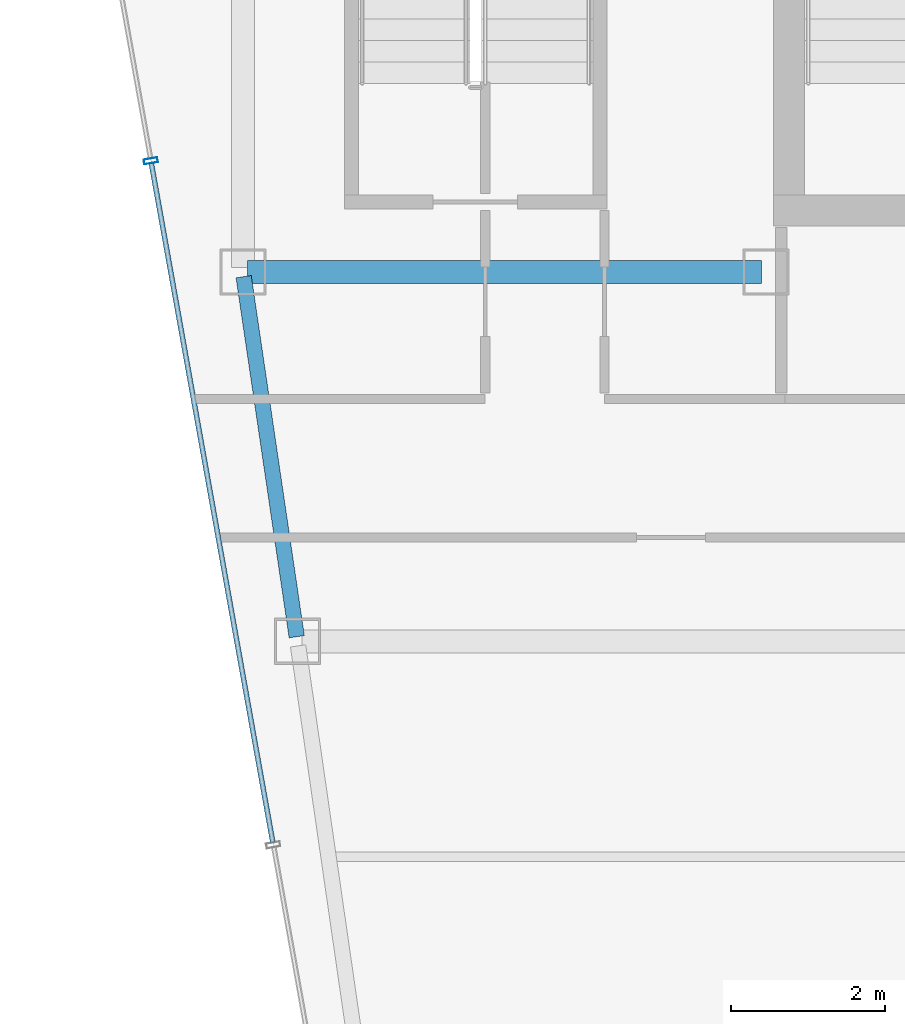
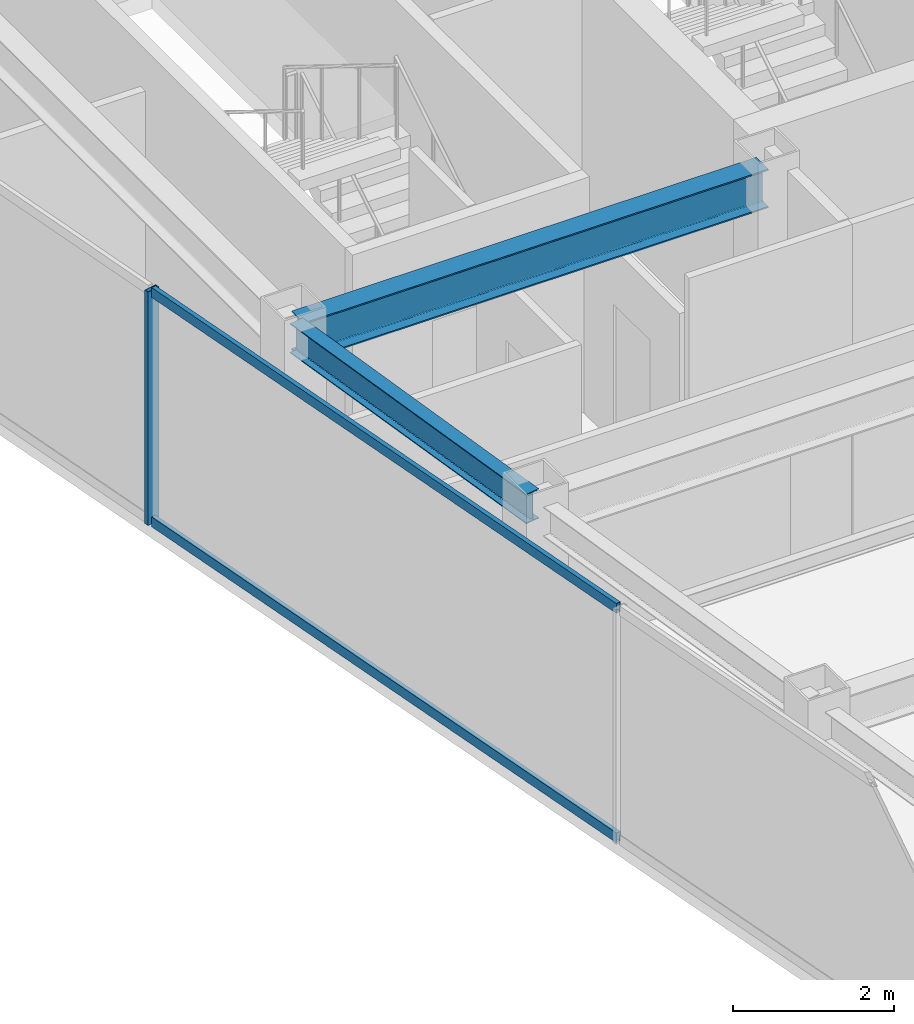
# One storey, part 9 of 32: 3 members, 2 beams, 1 element without a shape of its own.
"""IFC4 building model written with IfcOpenShell, lengths in metres."""

from ifc_helpers import new_model, si_unit, direction, frame, origin, origin_2d, place, context, subcontext, project, spatial, hollow_rectangle, i_section, extrude, material, material_profile, profile_set, type_object, element, aggregate, save


model = new_model("IFC4")

# Units and contexts
model_context = context("Model", 3, precision=1e-05, world=origin(), true_north=direction((0.0, 1.0)))
body_context = subcontext(model_context, "Body", "Model", "MODEL_VIEW")
ifc_project = project(units=[si_unit("LENGTHUNIT", "METRE"), si_unit("AREAUNIT", "SQUARE_METRE"), si_unit("VOLUMEUNIT", "CUBIC_METRE"), si_unit("PLANEANGLEUNIT", "RADIAN"), si_unit("MASSUNIT", "GRAM", prefix="KILO")], contexts=[model_context])

# Site, building, storey
site_placement = place(None, origin())
site = spatial("IfcSite", under=ifc_project, at=site_placement, CompositionType="ELEMENT")
building_placement = place(site_placement, origin())
building = spatial("IfcBuilding", under=site, at=building_placement, Name="Saevonmaru Cultural Tower", CompositionType="ELEMENT")
storey_placement = place(building_placement, frame((0.0, 0.0, 268.60009765625)))
storey = spatial("IfcBuildingStorey", under=building, at=storey_placement, Name="L63", CompositionType="ELEMENT", Elevation=268.60009765625)

# Beams
ifc_material_1 = material(Name="Steel SM355", Category="steel")
ifc_material_profile_1 = material_profile(ifc_material_1, i_section(OverallWidth=0.300048828125, OverallDepth=0.587890625, WebThickness=0.011962890625, FlangeThickness=0.02001953125, FilletRadius=0.02392578125, at=origin_2d()), Name="H-588x300x12x20")
ifc_profile_set_1 = profile_set([ifc_material_profile_1], Name="Steel SM355")
beam_type_1 = type_object("IfcBeamType", Name="BM-G-H588", PredefinedType="BEAM", material=ifc_profile_set_1)
beam_1_placement = place(storey_placement, frame((6.860107421875, 42.39990234375, 3.255859375), z_axis=(1.0, 0.0, 0.0), x_axis=(0.0, 1.0, 0.0)))
element("IfcBeam", 1, at=beam_1_placement, inside=storey, type_object=beam_type_1, Name="L63 Core South Girder 1", PredefinedType="BEAM", context=body_context, shape_type="SweptSolid", body=[
    extrude(i_section(OverallWidth=0.300048828125, OverallDepth=0.587890625, WebThickness=0.011962890625, FlangeThickness=0.02001953125, FilletRadius=0.02392578125, at=origin_2d()), origin(), (0.0, 0.0, 1.0), 6.679931640625),
])
ifc_material_profile_2 = material_profile(ifc_material_1, i_section(OverallWidth=0.199951171875, OverallDepth=0.449951171875, WebThickness=0.009033203125, FlangeThickness=0.013916015625, FilletRadius=0.01806640625, at=origin_2d()), Name="H-450x200x9x14")
ifc_profile_set_2 = profile_set([ifc_material_profile_2], Name="Steel SM355")
beam_type_2 = type_object("IfcBeamType", Name="BM-SP-H450", PredefinedType="SPANDREL", material=ifc_profile_set_2)
beam_2_placement = place(storey_placement, frame((7.499267578125, 37.659423828125, 3.324951171875), z_axis=(-0.145912860028, 0.989297446312, 0.0), x_axis=(-0.989297446312, -0.145912860028, 0.0)))
element("IfcBeam", 2, at=beam_2_placement, inside=storey, type_object=beam_type_2, Name="L63 West Splayed Spandrel 3", PredefinedType="SPANDREL", context=body_context, shape_type="SweptSolid", body=[
    extrude(i_section(OverallWidth=0.199951171875, OverallDepth=0.449951171875, WebThickness=0.009033203125, FlangeThickness=0.013916015625, FilletRadius=0.01806640625, at=origin_2d()), origin(), (0.0, 0.0, 1.0), 4.731689453125),
])

# Curtain wall, members
ifc_material_2 = material(Name="Satin Bronze Anodised Aluminium", Category="aluminium")
curtain_wall_type = type_object("IfcCurtainWallType", Name="CW-TYP-B", PredefinedType="NOTDEFINED", material=ifc_material_2)
curtain_wall_placement = place(storey_placement, origin())
curtain_wall = element("IfcCurtainWall", 3, at=curtain_wall_placement, inside=storey, type_object=curtain_wall_type, Name="L63 Unitised Curtain Wall E12", PredefinedType="NOTDEFINED")
ifc_material_profile_3 = material_profile(ifc_material_2, hollow_rectangle(XDim=0.06494140625, YDim=0.179931640625, WallThickness=0.00390625, at=origin_2d()), Name="ALU-MULL-180x65x4")
ifc_profile_set_3 = profile_set([ifc_material_profile_3], Name="Satin Bronze Anodised Aluminium")
member_type_1 = type_object("IfcMemberType", Name="ML-CW-180x65", PredefinedType="MULLION", material=ifc_profile_set_3)
member_1_placement = place(storey_placement, frame((5.60205078125, 43.846923828125, 0.0), z_axis=(0.0, 0.0, 1.0), x_axis=(0.176140740755, -0.984364993001, 0.0)))
member_1 = element("IfcMember", 4, at=member_1_placement, type_object=member_type_1, Name="CW-TW-L63-E12 mullion 2", PredefinedType="MULLION", context=body_context, shape_type="SweptSolid", body=[
    extrude(hollow_rectangle(XDim=0.06494140625, YDim=0.179931640625, WallThickness=0.00390625, at=origin_2d()), origin(), (0.0, 0.0, 1.0), 3.5498046875),
])
ifc_material_profile_4 = material_profile(ifc_material_2, hollow_rectangle(XDim=0.06494140625, YDim=0.14990234375, WallThickness=0.00390625, at=origin_2d()), Name="ALU-TRAN-150x65x4")
ifc_profile_set_4 = profile_set([ifc_material_profile_4], Name="Satin Bronze Anodised Aluminium")
member_type_2 = type_object("IfcMemberType", Name="TR-CW-150x65", PredefinedType="USERDEFINED", material=ifc_profile_set_4)
member_2_placement = place(storey_placement, frame((5.60791015625, 43.81494140625, 0.032470703125), z_axis=(0.176123157264, -0.984368139202, 0.0), x_axis=(0.984368139202, 0.176123157264, 0.0)))
member_2 = element("IfcMember", 5, at=member_2_placement, type_object=member_type_2, Name="CW-TW-L63-E12 transom 2.1", ObjectType="TRANSOM", PredefinedType="USERDEFINED", context=body_context, shape_type="SweptSolid", body=[
    extrude(hollow_rectangle(XDim=0.06494140625, YDim=0.14990234375, WallThickness=0.00390625, at=origin_2d()), origin(), (0.0, 0.0, 1.0), 8.969970703125),
])
member_3_placement = place(storey_placement, frame((5.60791015625, 43.81494140625, 3.517333984375), z_axis=(0.176123157264, -0.984368139202, 0.0), x_axis=(0.984368139202, 0.176123157264, 0.0)))
member_3 = element("IfcMember", 6, at=member_3_placement, type_object=member_type_2, Name="CW-TW-L63-E12 transom 2.2", ObjectType="TRANSOM", PredefinedType="USERDEFINED", context=body_context, shape_type="SweptSolid", body=[
    extrude(hollow_rectangle(XDim=0.06494140625, YDim=0.14990234375, WallThickness=0.00390625, at=origin_2d()), origin(), (0.0, 0.0, 1.0), 8.969970703125),
])
aggregate(curtain_wall, [member_1, member_2, member_3])

save(model, "model.ifc")
